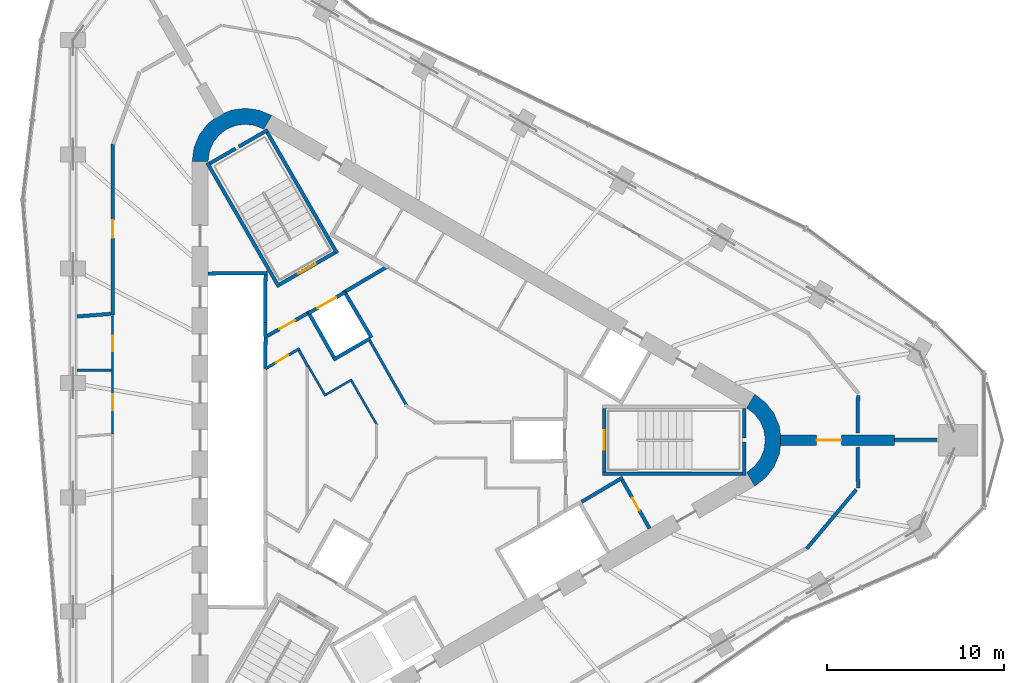
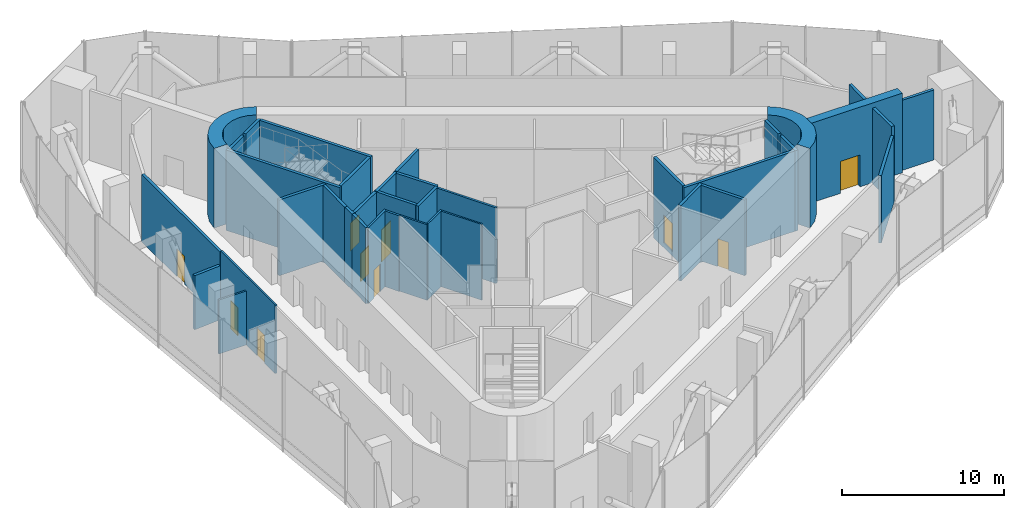
# One storey, part 9 of 15: 38 walls, 10 doors, 10 openings.
"""IFC4 building model written with IfcOpenShell, lengths in metres."""

from ifc_helpers import new_model, si_unit, direction, frame, frame_2d, origin, place, context, subcontext, project, spatial, polyline, rectangle, outline, extrude, material, layer, layer_set, type_object, element, fill, save


model = new_model("IFC4")

# Units and contexts
model_context = context("Model", 3, precision=1e-05, world=origin(), true_north=direction((0.0, 1.0)))
body_context = subcontext(model_context, "Body", "Model", "MODEL_VIEW")
ifc_project = project(units=[si_unit("LENGTHUNIT", "METRE"), si_unit("AREAUNIT", "SQUARE_METRE"), si_unit("VOLUMEUNIT", "CUBIC_METRE"), si_unit("PLANEANGLEUNIT", "RADIAN"), si_unit("MASSUNIT", "GRAM", prefix="KILO")], contexts=[model_context])

# Site, building, storey
site_placement = place(None, origin())
site = spatial("IfcSite", under=ifc_project, at=site_placement, CompositionType="ELEMENT")
building_placement = place(site_placement, origin())
building = spatial("IfcBuilding", under=site, at=building_placement, Name="Tanit Gate Tower", CompositionType="ELEMENT")
storey_placement = place(building_placement, frame((0.0, 0.0, 392.300048828125)))
storey = spatial("IfcBuildingStorey", under=building, at=storey_placement, Name="L90", CompositionType="ELEMENT", Elevation=392.300048828125)

# Wall, opening, door
ifc_material_1 = material(Name="Concrete C40/50", Category="concrete")
ifc_layer_1 = layer(ifc_material_1, 0.60009765625)
ifc_layer_set_1 = layer_set([ifc_layer_1], Name="BUTTRESS FIN 600 C40/50")
wall_type_1 = type_object("IfcWallType", Name="BUTTRESS FIN 600 C40/50", PredefinedType="SHEAR", material=ifc_layer_set_1)
wall_1_placement = place(storey_placement, frame((21.14990234375, 0.0, 0.0), z_axis=(0.0, 0.0, 1.0), x_axis=(1.0, 0.0, 0.0)))
wall_1 = element("IfcWall", 1, at=wall_1_placement, inside=storey, type_object=wall_type_1, Name="BUTTRESS FIN", PredefinedType="SHEAR", context=body_context, shape_type="SweptSolid", body=[
    extrude(rectangle(XDim=6.455078125, YDim=0.60009765625, at=frame_2d((3.2275390625, 0.0))), origin(), (0.0, 0.0, 1.0), 6.0),
])
opening_1_placement = place(wall_1_placement, frame((2.050048828125, 0.0, 0.0)))
opening_1 = element("IfcOpeningElement", 2, at=opening_1_placement, cuts=wall_1, Name="Opening P14-90-F-E-1", PredefinedType="OPENING", context=body_context, shape_type="SweptSolid", body=[
    extrude(rectangle(XDim=1.39990234375, YDim=2.39990234375, at=frame_2d((0.699951171875, 1.199951171875))), frame((0.0, 0.31005859375, 0.0), z_axis=(0.0, -1.0, 0.0), x_axis=(1.0, 0.0, 0.0)), (0.0, 0.0, 1.0), 0.6201171875),
])
ifc_material_2 = material(Name="Timber door leaf", Category="wood")
door_type_1 = type_object("IfcDoorType", Name="INT-DOOR-FIN-PAIR-1400", OperationType="NOTDEFINED", PredefinedType="NOTDEFINED", material=ifc_material_2)
door_1_placement = place(opening_1_placement, origin())
door_1 = element("IfcDoor", 3, at=door_1_placement, inside=storey, type_object=door_type_1, Name="Door P14-90-F-E-1", OperationType="DOUBLE_DOOR_SINGLE_SWING", OverallHeight=2.39990234375, OverallWidth=1.39990234375, PredefinedType="NOTDEFINED", context=body_context, shape_type="SweptSolid", body=[
    extrude(rectangle(XDim=1.39990234375, YDim=2.39990234375, at=frame_2d((0.699951171875, 1.199951171875))), frame((0.0, 0.02490234375, 0.0), z_axis=(0.0, -1.0, 0.0), x_axis=(1.0, 0.0, 0.0)), (0.0, 0.0, 1.0), 0.050048828125),
])
fill(opening_1, door_1)

# Walls
ifc_material_3 = material(Name="Concrete C40/50", Category="concrete")
ifc_layer_2 = layer(ifc_material_3, 0.89990234375)
ifc_layer_set_2 = layer_set([ifc_layer_2], Name="CORE WALL 900 C40/50")
wall_type_2 = type_object("IfcWallType", Name="CORE WALL 900 C40/50", PredefinedType="SHEAR", material=ifc_layer_set_2)
wall_2_placement = place(storey_placement, origin())
element("IfcWall", 4, at=wall_2_placement, inside=storey, type_object=wall_type_2, Name="CORE WALL CORNER", PredefinedType="SHEAR", context=body_context, shape_type="SweptSolid", body=[
    extrude(outline(polyline([(-7.60009765625, 18.359619140625), (-8.323486328125, 18.659423828125), (-9.10009765625, 18.76171875), (-9.87646484375, 18.659423828125), (-10.60009765625, 18.359619140625), (-11.22119140625, 17.883056640625), (-11.697998046875, 17.26171875), (-11.997802734375, 16.5380859375), (-12.10009765625, 15.76171875), (-11.199951171875, 15.76171875), (-11.12841796875, 16.30517578125), (-10.918701171875, 16.811767578125), (-10.5849609375, 17.24658203125), (-10.14990234375, 17.580322265625), (-9.6435546875, 17.7900390625), (-9.10009765625, 17.86181640625), (-8.556396484375, 17.7900390625), (-8.050048828125, 17.580322265625), (-7.60009765625, 18.359619140625)])), origin(), (0.0, 0.0, 1.0), 6.0),
])
wall_3_placement = place(storey_placement, origin())
element("IfcWall", 5, at=wall_3_placement, inside=storey, type_object=wall_type_2, Name="CORE WALL CORNER", PredefinedType="SHEAR", context=body_context, shape_type="SweptSolid", body=[
    extrude(outline(polyline([(19.699951171875, -2.59814453125), (20.3212890625, -2.121337890625), (20.798095703125, -1.5), (21.097900390625, -0.776611328125), (21.199951171875, 0.0), (21.097900390625, 0.776611328125), (20.798095703125, 1.5), (20.3212890625, 2.121337890625), (19.699951171875, 2.59814453125), (19.25, 1.818603515625), (19.684814453125, 1.48486328125), (20.018798828125, 1.050048828125), (20.228515625, 0.54345703125), (20.300048828125, 0.0), (20.228515625, -0.54345703125), (20.018798828125, -1.050048828125), (19.684814453125, -1.48486328125), (19.25, -1.818603515625), (19.699951171875, -2.59814453125)])), origin(), (0.0, 0.0, 1.0), 6.0),
])
ifc_material_4 = material(Name="Fire-rated gypsum board partition")
ifc_layer_3 = layer(ifc_material_4, 0.199951171875)
ifc_layer_set_3 = layer_set([ifc_layer_3], Name="INT-WALL-COMPARTMENT")
wall_type_3 = type_object("IfcWallType", Name="INT-WALL-COMPARTMENT", PredefinedType="PARTITIONING", material=ifc_layer_set_3)
wall_4_placement = place(storey_placement, frame((12.244873046875, -2.10888671875, 0.0), z_axis=(0.0, 0.0, 1.0), x_axis=(-0.860414880418, -0.509594185166, 0.0)))
element("IfcWall", 6, at=wall_4_placement, inside=storey, type_object=wall_type_3, Name="Wall Compartment W062", PredefinedType="PARTITIONING", context=body_context, shape_type="SweptSolid", body=[
    extrude(rectangle(XDim=2.7001953125, YDim=0.199951171875, at=frame_2d((1.35009765625, 0.0))), origin(), (0.0, 0.0, 1.0), 5.699951171875),
])

# Wall, opening, door
wall_5_placement = place(storey_placement, frame((13.758056640625, -4.989501953125, 0.0), z_axis=(0.0, 0.0, 1.0), x_axis=(-0.491993409184, 0.87059892334, 0.0)))
wall_5 = element("IfcWall", 7, at=wall_5_placement, inside=storey, type_object=wall_type_3, Name="Wall Compartment W063", PredefinedType="PARTITIONING", context=body_context, shape_type="SweptSolid", body=[
    extrude(rectangle(XDim=3.150146484375, YDim=0.199951171875, at=frame_2d((1.5751953125, 0.0))), origin(), (0.0, 0.0, 1.0), 5.699951171875),
])
opening_2_placement = place(wall_5_placement, frame((1.175048828125, 0.0, 0.0)))
opening_2 = element("IfcOpeningElement", 8, at=opening_2_placement, cuts=wall_5, Name="Opening R08-90-17", PredefinedType="OPENING", context=body_context, shape_type="SweptSolid", body=[
    extrude(rectangle(XDim=0.800048828125, YDim=2.10009765625, at=frame_2d((0.39990234375, 1.050048828125))), frame((0.0, 0.10986328125, 0.0), z_axis=(0.0, -1.0, 0.0), x_axis=(1.0, 0.0, 0.0)), (0.0, 0.0, 1.0), 0.219970703125),
])
ifc_material_5 = material(Name="Timber door leaf", Category="wood")
door_type_2 = type_object("IfcDoorType", Name="INT-DOOR-RISER-800", OperationType="NOTDEFINED", PredefinedType="USERDEFINED", material=ifc_material_5)
door_2_placement = place(opening_2_placement, origin())
door_2 = element("IfcDoor", 9, at=door_2_placement, inside=storey, type_object=door_type_2, Name="Door R08-90-17", ObjectType="FIRE DOOR", OperationType="SINGLE_SWING_RIGHT", OverallHeight=2.10009765625, OverallWidth=0.800048828125, PredefinedType="USERDEFINED", context=body_context, shape_type="SweptSolid", body=[
    extrude(rectangle(XDim=0.800048828125, YDim=2.10009765625, at=frame_2d((0.39990234375, 1.050048828125))), frame((0.0, 0.02490234375, 0.0), z_axis=(0.0, -1.0, 0.0), x_axis=(1.0, 0.0, 0.0)), (0.0, 0.0, 1.0), 0.050048828125),
])
fill(opening_2, door_2)

# Wall
wall_6_placement = place(storey_placement, frame((-1.0556640625, 9.81787109375, 0.0), z_axis=(0.0, 0.0, 1.0), x_axis=(-0.860599924646, -0.509281621207, 0.0)))
element("IfcWall", 10, at=wall_6_placement, inside=storey, type_object=wall_type_3, Name="Wall Compartment W066", PredefinedType="PARTITIONING", context=body_context, shape_type="SweptSolid", body=[
    extrude(rectangle(XDim=2.724853515625, YDim=0.199951171875, at=frame_2d((1.3623046875, 0.0))), origin(), (0.0, 0.0, 1.0), 5.699951171875),
])

# Wall, opening, door
wall_7_placement = place(storey_placement, frame((-5.600341796875, 7.16015625, 0.0), z_axis=(0.0, 0.0, 1.0), x_axis=(-0.871363259478, -0.490638431059, 0.0)))
wall_7 = element("IfcWall", 11, at=wall_7_placement, inside=storey, type_object=wall_type_3, Name="Wall Compartment W067", PredefinedType="PARTITIONING", context=body_context, shape_type="SweptSolid", body=[
    extrude(rectangle(XDim=2.5810546875, YDim=0.199951171875, at=frame_2d((1.29052734375, 0.0))), origin(), (0.0, 0.0, 1.0), 5.699951171875),
])
opening_3_placement = place(wall_7_placement, frame((0.79052734375, 0.0, 0.0)))
opening_3 = element("IfcOpeningElement", 12, at=opening_3_placement, cuts=wall_7, Name="Opening F10-90-05", PredefinedType="OPENING", context=body_context, shape_type="SweptSolid", body=[
    extrude(rectangle(XDim=1.0, YDim=2.10009765625, at=frame_2d((0.5, 1.050048828125))), frame((0.0, 0.10986328125, 0.0), z_axis=(0.0, -1.0, 0.0), x_axis=(1.0, 0.0, 0.0)), (0.0, 0.0, 1.0), 0.219970703125),
])
ifc_material_6 = material(Name="Fire-rated steel door leaf", Category="steel")
door_type_3 = type_object("IfcDoorType", Name="INT-DOOR-FIRE-1000", OperationType="NOTDEFINED", PredefinedType="USERDEFINED", material=ifc_material_6)
door_3_placement = place(opening_3_placement, origin())
door_3 = element("IfcDoor", 13, at=door_3_placement, inside=storey, type_object=door_type_3, Name="Door F10-90-05", ObjectType="FIRE DOOR", OperationType="SINGLE_SWING_LEFT", OverallHeight=2.10009765625, OverallWidth=1.0, PredefinedType="USERDEFINED", context=body_context, shape_type="SweptSolid", body=[
    extrude(rectangle(XDim=1.0, YDim=2.10009765625, at=frame_2d((0.5, 1.050048828125))), frame((0.0, 0.02490234375, 0.0), z_axis=(0.0, -1.0, 0.0), x_axis=(1.0, 0.0, 0.0)), (0.0, 0.0, 1.0), 0.050048828125),
])
fill(opening_3, door_3)

wall_8_placement = place(storey_placement, frame((-16.60009765625, 16.734375, 0.0), z_axis=(0.0, 0.0, 1.0), x_axis=(0.0, -1.0, 0.0)))
wall_8 = element("IfcWall", 14, at=wall_8_placement, inside=storey, type_object=wall_type_3, Name="Wall Compartment W091", PredefinedType="PARTITIONING", context=body_context, shape_type="SweptSolid", body=[
    extrude(rectangle(XDim=9.64501953125, YDim=0.199951171875, at=frame_2d((4.822509765625, 0.0))), origin(), (0.0, 0.0, 1.0), 5.070068359375),
])
opening_4_placement = place(wall_8_placement, frame((4.300048828125, 0.0, 0.0)))
opening_4 = element("IfcOpeningElement", 15, at=opening_4_placement, cuts=wall_8, Name="Opening F10-90-19", PredefinedType="OPENING", context=body_context, shape_type="SweptSolid", body=[
    extrude(rectangle(XDim=1.0, YDim=2.10009765625, at=frame_2d((0.5, 1.050048828125))), frame((0.0, 0.10986328125, 0.0), z_axis=(0.0, -1.0, 0.0), x_axis=(1.0, 0.0, 0.0)), (0.0, 0.0, 1.0), 0.219970703125),
])
door_4_placement = place(opening_4_placement, origin())
door_4 = element("IfcDoor", 16, at=door_4_placement, inside=storey, type_object=door_type_3, Name="Door F10-90-19", ObjectType="FIRE DOOR", OperationType="SINGLE_SWING_RIGHT", OverallHeight=2.10009765625, OverallWidth=1.0, PredefinedType="USERDEFINED", context=body_context, shape_type="SweptSolid", body=[
    extrude(rectangle(XDim=1.0, YDim=2.10009765625, at=frame_2d((0.5, 1.050048828125))), frame((0.0, 0.02490234375, 0.0), z_axis=(0.0, -1.0, 0.0), x_axis=(1.0, 0.0, 0.0)), (0.0, 0.0, 1.0), 0.050048828125),
])
fill(opening_4, door_4)

# Walls
wall_9_placement = place(storey_placement, frame((-18.60400390625, 6.9931640625, 0.0), z_axis=(0.0, 0.0, 1.0), x_axis=(0.99697500106, 0.077722887632, 0.0)))
element("IfcWall", 17, at=wall_9_placement, inside=storey, type_object=wall_type_3, Name="Wall Compartment W099", PredefinedType="PARTITIONING", context=body_context, shape_type="SweptSolid", body=[
    extrude(rectangle(XDim=1.909912109375, YDim=0.199951171875, at=frame_2d((0.955078125, 0.0))), origin(), (0.0, 0.0, 1.0), 4.070068359375),
])
wall_10_placement = place(storey_placement, frame((25.520751953125, 0.39990234375, 0.0), z_axis=(0.0, 0.0, 1.0), x_axis=(0.011167985113, 0.99993763611, 0.0)))
element("IfcWall", 18, at=wall_10_placement, inside=storey, type_object=wall_type_3, Name="Wall Compartment W106", PredefinedType="PARTITIONING", context=body_context, shape_type="SweptSolid", body=[
    extrude(rectangle(XDim=2.12060546875, YDim=0.199951171875, at=frame_2d((1.060302734375, 0.0))), origin(), (0.0, 0.0, 1.0), 5.699951171875),
])
wall_11_placement = place(storey_placement, frame((27.60498046875, 0.030029296875, 0.0), z_axis=(0.0, 0.0, 1.0), x_axis=(1.0, 0.0, 0.0)))
element("IfcWall", 19, at=wall_11_placement, inside=storey, type_object=wall_type_3, Name="Wall Compartment W111", PredefinedType="PARTITIONING", context=body_context, shape_type="SweptSolid", body=[
    extrude(rectangle(XDim=2.390625, YDim=0.199951171875, at=frame_2d((1.1953125, 0.0))), origin(), (0.0, 0.0, 1.0), 5.27001953125),
])
wall_12_placement = place(storey_placement, frame((25.546630859375, -2.7109375, 0.0), z_axis=(0.0, 0.0, 1.0), x_axis=(-0.011197269672, 0.999937308611, 0.0)))
element("IfcWall", 20, at=wall_12_placement, inside=storey, type_object=wall_type_3, Name="Wall Compartment W116", PredefinedType="PARTITIONING", context=body_context, shape_type="SweptSolid", body=[
    extrude(rectangle(XDim=2.311279296875, YDim=0.199951171875, at=frame_2d((1.15576171875, 0.0))), origin(), (0.0, 0.0, 1.0), 5.699951171875),
])
wall_13_placement = place(storey_placement, frame((22.6416015625, -6.135498046875, 0.0), z_axis=(0.0, 0.0, 1.0), x_axis=(0.642782763857, 0.766048509227, 0.0)))
element("IfcWall", 21, at=wall_13_placement, inside=storey, type_object=wall_type_3, Name="Wall Compartment W117", PredefinedType="PARTITIONING", context=body_context, shape_type="SweptSolid", body=[
    extrude(rectangle(XDim=4.365234375, YDim=0.199951171875, at=frame_2d((2.1826171875, 0.0))), origin(), (0.0, 0.0, 1.0), 5.070068359375),
])
ifc_material_7 = material(Name="Gypsum board partition")
ifc_layer_4 = layer(ifc_material_7, 0.1201171875)
ifc_layer_set_4 = layer_set([ifc_layer_4], Name="INT-WALL-PARTITION")
wall_type_4 = type_object("IfcWallType", Name="INT-WALL-PARTITION", PredefinedType="PARTITIONING", material=ifc_layer_set_4)
wall_14_placement = place(storey_placement, frame((-4.558349609375, 2.4951171875, 0.0), z_axis=(0.0, 0.0, 1.0), x_axis=(-0.499990325971, 0.866030989016, 0.0)))
element("IfcWall", 22, at=wall_14_placement, inside=storey, type_object=wall_type_4, Name="Wall Partition W084", PredefinedType="PARTITIONING", context=body_context, shape_type="SweptSolid", body=[
    extrude(rectangle(XDim=2.02490234375, YDim=0.1201171875, at=frame_2d((1.012451171875, 0.0))), origin(), (0.0, 0.0, 1.0), 5.699951171875),
])
wall_15_placement = place(storey_placement, frame((-3.06396484375, 3.427001953125, 0.0), z_axis=(0.0, 0.0, 1.0), x_axis=(-0.866087547558, -0.499892348375, 0.0)))
element("IfcWall", 23, at=wall_15_placement, inside=storey, type_object=wall_type_4, Name="Wall Partition W085", PredefinedType="PARTITIONING", context=body_context, shape_type="SweptSolid", body=[
    extrude(rectangle(XDim=1.699951171875, YDim=0.1201171875, at=frame_2d((0.85009765625, 0.0))), origin(), (0.0, 0.0, 1.0), 5.699951171875),
])
wall_16_placement = place(storey_placement, frame((-1.63671875, 0.8349609375, 0.0), z_axis=(0.0, 0.0, 1.0), x_axis=(-0.499980071345, 0.866036909293, 0.0)))
element("IfcWall", 24, at=wall_16_placement, inside=storey, type_object=wall_type_4, Name="Wall Partition W086", PredefinedType="PARTITIONING", context=body_context, shape_type="SweptSolid", body=[
    extrude(rectangle(XDim=2.8984375, YDim=0.1201171875, at=frame_2d((1.44921875, 0.0))), origin(), (0.0, 0.0, 1.0), 5.699951171875),
])

# Wall, openings, doors
wall_17_placement = place(storey_placement, frame((-16.60009765625, 7.049072265625, 0.0), z_axis=(0.0, 0.0, 1.0), x_axis=(0.0, -1.0, 0.0)))
wall_17 = element("IfcWall", 25, at=wall_17_placement, inside=storey, type_object=wall_type_4, Name="Wall Partition W095", PredefinedType="PARTITIONING", context=body_context, shape_type="SweptSolid", body=[
    extrude(rectangle(XDim=6.70556640625, YDim=0.1201171875, at=frame_2d((3.352783203125, 0.0))), origin(), (0.0, 0.0, 1.0), 5.169921875),
])
opening_5_placement = place(wall_17_placement, frame((4.4638671875, 0.0, 0.0)))
opening_5 = element("IfcOpeningElement", 26, at=opening_5_placement, cuts=wall_17, Name="Opening D09-90-20", PredefinedType="OPENING", context=body_context, shape_type="SweptSolid", body=[
    extrude(rectangle(XDim=0.89990234375, YDim=2.10009765625, at=frame_2d((0.449951171875, 1.050048828125))), frame((0.0, 0.070068359375, 0.0), z_axis=(0.0, -1.0, 0.0), x_axis=(1.0, 0.0, 0.0)), (0.0, 0.0, 1.0), 0.14013671875),
])
opening_6_placement = place(wall_17_placement, frame((1.132080078125, 0.0, 0.0)))
opening_6 = element("IfcOpeningElement", 27, at=opening_6_placement, cuts=wall_17, Name="Opening D09-90-21", PredefinedType="OPENING", context=body_context, shape_type="SweptSolid", body=[
    extrude(rectangle(XDim=0.89990234375, YDim=2.10009765625, at=frame_2d((0.449951171875, 1.050048828125))), frame((0.0, 0.070068359375, 0.0), z_axis=(0.0, -1.0, 0.0), x_axis=(1.0, 0.0, 0.0)), (0.0, 0.0, 1.0), 0.14013671875),
])
ifc_material_8 = material(Name="Timber door leaf", Category="wood")
door_type_4 = type_object("IfcDoorType", Name="INT-DOOR-SINGLE-900", OperationType="NOTDEFINED", PredefinedType="NOTDEFINED", material=ifc_material_8)
door_5_placement = place(opening_5_placement, origin())
door_5 = element("IfcDoor", 28, at=door_5_placement, inside=storey, type_object=door_type_4, Name="Door D09-90-20", OperationType="SINGLE_SWING_LEFT", OverallHeight=2.10009765625, OverallWidth=0.89990234375, PredefinedType="NOTDEFINED", context=body_context, shape_type="SweptSolid", body=[
    extrude(rectangle(XDim=0.89990234375, YDim=2.10009765625, at=frame_2d((0.449951171875, 1.050048828125))), frame((0.0, 0.02490234375, 0.0), z_axis=(0.0, -1.0, 0.0), x_axis=(1.0, 0.0, 0.0)), (0.0, 0.0, 1.0), 0.050048828125),
])
fill(opening_5, door_5)
door_6_placement = place(opening_6_placement, origin())
door_6 = element("IfcDoor", 29, at=door_6_placement, inside=storey, type_object=door_type_4, Name="Door D09-90-21", OperationType="SINGLE_SWING_RIGHT", OverallHeight=2.10009765625, OverallWidth=0.89990234375, PredefinedType="NOTDEFINED", context=body_context, shape_type="SweptSolid", body=[
    extrude(rectangle(XDim=0.89990234375, YDim=2.10009765625, at=frame_2d((0.449951171875, 1.050048828125))), frame((0.0, 0.02490234375, 0.0), z_axis=(0.0, -1.0, 0.0), x_axis=(1.0, 0.0, 0.0)), (0.0, 0.0, 1.0), 0.050048828125),
])
fill(opening_6, door_6)

# Walls
wall_18_placement = place(storey_placement, frame((-16.659912109375, 3.955322265625, 0.0), z_axis=(0.0, 0.0, 1.0), x_axis=(-1.0, 0.0, 0.0)))
element("IfcWall", 30, at=wall_18_placement, inside=storey, type_object=wall_type_4, Name="Wall Partition W101", PredefinedType="PARTITIONING", context=body_context, shape_type="SweptSolid", body=[
    extrude(rectangle(XDim=1.944091796875, YDim=0.1201171875, at=frame_2d((0.97216796875, 0.0))), origin(), (0.0, 0.0, 1.0), 4.070068359375),
])
ifc_material_9 = material(Name="Fire-rated gypsum board partition")
ifc_layer_5 = layer(ifc_material_9, 0.14990234375)
ifc_layer_set_5 = layer_set([ifc_layer_5], Name="INT-WALL-RISER")
wall_type_5 = type_object("IfcWallType", Name="INT-WALL-RISER", PredefinedType="PLUMBINGWALL", material=ifc_layer_set_5)
wall_19_placement = place(storey_placement, frame((-2.05908203125, 5.6240234375, 0.0), z_axis=(0.0, 0.0, 1.0), x_axis=(0.494149180773, -0.869377125959, 0.0)))
element("IfcWall", 31, at=wall_19_placement, inside=storey, type_object=wall_type_5, Name="Wall Riser W072", PredefinedType="PLUMBINGWALL", context=body_context, shape_type="SweptSolid", body=[
    extrude(rectangle(XDim=4.231201171875, YDim=0.14990234375, at=frame_2d((2.11572265625, 0.0))), origin(), (0.0, 0.0, 1.0), 5.699951171875),
])

# Wall, opening, door
wall_20_placement = place(storey_placement, frame((-6.023681640625, 5.183349609375, 0.0), z_axis=(0.0, 0.0, 1.0), x_axis=(-0.860126804455, -0.510080268447, 0.0)))
wall_20 = element("IfcWall", 32, at=wall_20_placement, inside=storey, type_object=wall_type_5, Name="Wall Riser W082", PredefinedType="PLUMBINGWALL", context=body_context, shape_type="SweptSolid", body=[
    extrude(rectangle(XDim=2.239501953125, YDim=0.14990234375, at=frame_2d((1.11962890625, 0.0))), origin(), (0.0, 0.0, 1.0), 5.699951171875),
])
opening_7_placement = place(wall_20_placement, frame((0.75732421875, 0.0, 0.0)))
opening_7 = element("IfcOpeningElement", 33, at=opening_7_placement, cuts=wall_20, Name="Opening R08-90-12", PredefinedType="OPENING", context=body_context, shape_type="SweptSolid", body=[
    extrude(rectangle(XDim=0.800048828125, YDim=2.10009765625, at=frame_2d((0.39990234375, 1.050048828125))), frame((0.0, 0.0849609375, 0.0), z_axis=(0.0, -1.0, 0.0), x_axis=(1.0, 0.0, 0.0)), (0.0, 0.0, 1.0), 0.169921875),
])
door_7_placement = place(opening_7_placement, origin())
door_7 = element("IfcDoor", 34, at=door_7_placement, inside=storey, type_object=door_type_2, Name="Door R08-90-12", ObjectType="FIRE DOOR", OperationType="SINGLE_SWING_RIGHT", OverallHeight=2.10009765625, OverallWidth=0.800048828125, PredefinedType="USERDEFINED", context=body_context, shape_type="SweptSolid", body=[
    extrude(rectangle(XDim=0.800048828125, YDim=2.10009765625, at=frame_2d((0.39990234375, 1.050048828125))), frame((0.0, 0.02490234375, 0.0), z_axis=(0.0, -1.0, 0.0), x_axis=(1.0, 0.0, 0.0)), (0.0, 0.0, 1.0), 0.050048828125),
])
fill(opening_7, door_7)

# Walls
wall_21_placement = place(storey_placement, frame((-5.57080078125, 4.189697265625, 0.0), z_axis=(0.0, 0.0, 1.0), x_axis=(-0.476127658675, 0.879376172434, 0.0)))
element("IfcWall", 35, at=wall_21_placement, inside=storey, type_object=wall_type_5, Name="Wall Riser W083", PredefinedType="PLUMBINGWALL", context=body_context, shape_type="SweptSolid", body=[
    extrude(rectangle(XDim=1.01171875, YDim=0.14990234375, at=frame_2d((0.505859375, 0.0))), origin(), (0.0, 0.0, 1.0), 5.699951171875),
])
ifc_material_10 = material(Name="Gypsum shaft wall system")
ifc_layer_6 = layer(ifc_material_10, 0.199951171875)
ifc_layer_set_6 = layer_set([ifc_layer_6], Name="INT-WALL-SHAFT")
wall_type_6 = type_object("IfcWallType", Name="INT-WALL-SHAFT", PredefinedType="PLUMBINGWALL", material=ifc_layer_set_6)
wall_22_placement = place(storey_placement, frame((-11.199951171875, 9.419921875, 0.0), z_axis=(0.0, 0.0, 1.0), x_axis=(0.999957167047, 0.009255488683, 0.0)))
element("IfcWall", 36, at=wall_22_placement, inside=storey, type_object=wall_type_6, Name="Wall Shaft W001", PredefinedType="PLUMBINGWALL", context=body_context, shape_type="SweptSolid", body=[
    extrude(rectangle(XDim=3.35009765625, YDim=0.199951171875, at=frame_2d((1.675048828125, 0.0))), origin(), (0.0, 0.0, 1.0), 5.699951171875),
])
wall_23_placement = place(storey_placement, frame((-7.951171875, 9.35009765625, 0.0), z_axis=(0.0, 0.0, 1.0), x_axis=(-0.011120469654, -0.999938165666, 0.0)))
element("IfcWall", 37, at=wall_23_placement, inside=storey, type_object=wall_type_6, Name="Wall Shaft W002", PredefinedType="PLUMBINGWALL", context=body_context, shape_type="SweptSolid", body=[
    extrude(rectangle(XDim=2.700439453125, YDim=0.199951171875, at=frame_2d((1.35009765625, 0.0))), origin(), (0.0, 0.0, 1.0), 5.699951171875),
])
wall_24_placement = place(storey_placement, frame((-7.97705078125, 6.650146484375, 0.0), z_axis=(0.0, 0.0, 1.0), x_axis=(0.030861509705, -0.999523670164, 0.0)))
element("IfcWall", 38, at=wall_24_placement, inside=storey, type_object=wall_type_6, Name="Wall Shaft W003", PredefinedType="PLUMBINGWALL", context=body_context, shape_type="SweptSolid", body=[
    extrude(rectangle(XDim=0.878173828125, YDim=0.199951171875, at=frame_2d((0.43896484375, 0.0))), origin(), (0.0, 0.0, 1.0), 5.699951171875),
])
wall_25_placement = place(storey_placement, frame((-7.94921875, 5.894775390625, 0.0), z_axis=(0.0, 0.0, 1.0), x_axis=(-0.012042535896, -0.999927486035, 0.0)))
element("IfcWall", 39, at=wall_25_placement, inside=storey, type_object=wall_type_6, Name="Wall Shaft W004", PredefinedType="PLUMBINGWALL", context=body_context, shape_type="SweptSolid", body=[
    extrude(rectangle(XDim=1.844970703125, YDim=0.199951171875, at=frame_2d((0.92236328125, 0.0))), origin(), (0.0, 0.0, 1.0), 5.699951171875),
])

# Wall, opening, door
wall_26_placement = place(storey_placement, frame((-5.524169921875, 7.168212890625, 0.0), z_axis=(0.0, 0.0, 1.0), x_axis=(0.866024647952, 0.500001309137, 0.0)))
wall_26 = element("IfcWall", 40, at=wall_26_placement, inside=storey, type_object=wall_type_6, Name="Wall Shaft W039", PredefinedType="PLUMBINGWALL", context=body_context, shape_type="SweptSolid", body=[
    extrude(rectangle(XDim=2.39990234375, YDim=0.199951171875, at=frame_2d((1.199951171875, 0.0))), origin(), (0.0, 0.0, 1.0), 5.699951171875),
])
opening_8_placement = place(wall_26_placement, frame((0.60009765625, 0.0, 0.0)))
opening_8 = element("IfcOpeningElement", 41, at=opening_8_placement, cuts=wall_26, Name="Opening LDFL2-L90", PredefinedType="OPENING", context=body_context, shape_type="SweptSolid", body=[
    extrude(rectangle(XDim=1.199951171875, YDim=2.39990234375, at=frame_2d((0.60009765625, 1.199951171875))), frame((0.0, 0.10986328125, 0.0), z_axis=(0.0, -1.0, 0.0), x_axis=(1.0, 0.0, 0.0)), (0.0, 0.0, 1.0), 0.219970703125),
])
ifc_material_11 = material(Name="Stainless steel sliding door leaf", Category="steel")
door_type_5 = type_object("IfcDoorType", Name="INT-DOOR-LANDING-1200", OperationType="NOTDEFINED", PredefinedType="USERDEFINED", material=ifc_material_11)
door_8_placement = place(opening_8_placement, origin())
door_8 = element("IfcDoor", 42, at=door_8_placement, inside=storey, type_object=door_type_5, Name="Door LDFL2-L90", ObjectType="LANDING DOOR", OperationType="SLIDING_TO_LEFT", OverallHeight=2.39990234375, OverallWidth=1.199951171875, PredefinedType="USERDEFINED", context=body_context, shape_type="SweptSolid", body=[
    extrude(rectangle(XDim=1.199951171875, YDim=2.39990234375, at=frame_2d((0.60009765625, 1.199951171875))), frame((0.0, 0.02490234375, 0.0), z_axis=(0.0, -1.0, 0.0), x_axis=(1.0, 0.0, 0.0)), (0.0, 0.0, 1.0), 0.050048828125),
])
fill(opening_8, door_8)

# Walls
wall_27_placement = place(storey_placement, frame((-3.53759765625, 8.46533203125, 0.0), z_axis=(0.0, 0.0, 1.0), x_axis=(0.508647062354, -0.860975125052, 0.0)))
element("IfcWall", 43, at=wall_27_placement, inside=storey, type_object=wall_type_6, Name="Wall Shaft W040", PredefinedType="PLUMBINGWALL", context=body_context, shape_type="SweptSolid", body=[
    extrude(rectangle(XDim=3.10009765625, YDim=0.199951171875, at=frame_2d((1.550048828125, 0.0))), origin(), (0.0, 0.0, 1.0), 5.699951171875),
])
wall_28_placement = place(storey_placement, frame((-2.04345703125, 5.748291015625, 0.0), z_axis=(0.0, 0.0, 1.0), x_axis=(-0.866035096217, -0.499983211839, 0.0)))
element("IfcWall", 44, at=wall_28_placement, inside=storey, type_object=wall_type_6, Name="Wall Shaft W041", PredefinedType="PLUMBINGWALL", context=body_context, shape_type="SweptSolid", body=[
    extrude(rectangle(XDim=2.404296875, YDim=0.199951171875, at=frame_2d((1.2021484375, 0.0))), origin(), (0.0, 0.0, 1.0), 5.699951171875),
])
wall_29_placement = place(storey_placement, frame((-5.5625, 7.29638671875, 0.0), z_axis=(0.0, 0.0, 1.0), x_axis=(0.49134651263, -0.870964180966, 0.0)))
element("IfcWall", 45, at=wall_29_placement, inside=storey, type_object=wall_type_6, Name="Wall Shaft W042", PredefinedType="PLUMBINGWALL", context=body_context, shape_type="SweptSolid", body=[
    extrude(rectangle(XDim=3.000244140625, YDim=0.199951171875, at=frame_2d((1.5, 0.0))), origin(), (0.0, 0.0, 1.0), 5.699951171875),
])
ifc_material_12 = material(Name="Concrete C40/50", Category="concrete")
ifc_layer_7 = layer(ifc_material_12, 0.199951171875)
ifc_layer_set_7 = layer_set([ifc_layer_7], Name="INT-WALL-STAIR")
wall_type_7 = type_object("IfcWallType", Name="INT-WALL-STAIR", PredefinedType="SHEAR", material=ifc_layer_set_7)
wall_30_placement = place(storey_placement, frame((19.10009765625, -2.0, -0.35009765625), z_axis=(0.0, 0.0, 1.0), x_axis=(0.0, 1.0, 0.0)))
element("IfcWall", 46, at=wall_30_placement, inside=storey, type_object=wall_type_7, Name="Wall Stair W027", PredefinedType="SHEAR", context=body_context, shape_type="SweptSolid", body=[
    extrude(rectangle(XDim=1.889892578125, YDim=0.199951171875, at=frame_2d((0.94482421875, 0.0))), origin(), (0.0, 0.0, 1.0), 6.050048828125),
])
wall_31_placement = place(storey_placement, frame((19.10009765625, 0.110107421875, -0.35009765625), z_axis=(0.0, 0.0, 1.0), x_axis=(0.0, 1.0, 0.0)))
element("IfcWall", 47, at=wall_31_placement, inside=storey, type_object=wall_type_7, Name="Wall Stair W026", PredefinedType="SHEAR", context=body_context, shape_type="SweptSolid", body=[
    extrude(rectangle(XDim=1.68994140625, YDim=0.199951171875, at=frame_2d((0.844970703125, 0.0))), origin(), (0.0, 0.0, 1.0), 6.050048828125),
])
wall_32_placement = place(storey_placement, frame((11.10009765625, -1.89990234375, -0.35009765625), z_axis=(0.0, 0.0, 1.0), x_axis=(1.0, 0.0, 0.0)))
element("IfcWall", 48, at=wall_32_placement, inside=storey, type_object=wall_type_7, Name="Wall Stair W028", PredefinedType="SHEAR", context=body_context, shape_type="SweptSolid", body=[
    extrude(rectangle(XDim=7.89990234375, YDim=0.199951171875, at=frame_2d((3.949951171875, 0.0))), origin(), (0.0, 0.0, 1.0), 6.050048828125),
])

# Wall, opening, door
wall_33_placement = place(storey_placement, frame((11.199951171875, -1.800048828125, -0.35009765625), z_axis=(0.0, 0.0, 1.0), x_axis=(0.0, 1.0, 0.0)))
wall_33 = element("IfcWall", 49, at=wall_33_placement, inside=storey, type_object=wall_type_7, Name="Wall Stair W029", PredefinedType="SHEAR", context=body_context, shape_type="SweptSolid", body=[
    extrude(rectangle(XDim=3.60009765625, YDim=0.199951171875, at=frame_2d((1.800048828125, 0.0))), origin(), (0.0, 0.0, 1.0), 6.050048828125),
])
opening_9_placement = place(wall_33_placement, frame((1.25, 0.0, 0.35009765625)))
opening_9 = element("IfcOpeningElement", 50, at=opening_9_placement, cuts=wall_33, Name="Opening S11-90-01", PredefinedType="OPENING", context=body_context, shape_type="SweptSolid", body=[
    extrude(rectangle(XDim=1.10009765625, YDim=2.10009765625, at=frame_2d((0.550048828125, 1.050048828125))), frame((0.0, 0.10986328125, 0.0), z_axis=(0.0, -1.0, 0.0), x_axis=(1.0, 0.0, 0.0)), (0.0, 0.0, 1.0), 0.219970703125),
])
ifc_material_13 = material(Name="Timber door leaf", Category="wood")
door_type_6 = type_object("IfcDoorType", Name="INT-DOOR-STAIR-1100", OperationType="NOTDEFINED", PredefinedType="USERDEFINED", material=ifc_material_13)
door_9_placement = place(opening_9_placement, origin())
door_9 = element("IfcDoor", 51, at=door_9_placement, inside=storey, type_object=door_type_6, Name="Door S11-90-01", ObjectType="FIRE DOOR", OperationType="SINGLE_SWING_LEFT", OverallHeight=2.10009765625, OverallWidth=1.10009765625, PredefinedType="USERDEFINED", context=body_context, shape_type="SweptSolid", body=[
    extrude(rectangle(XDim=1.10009765625, YDim=2.10009765625, at=frame_2d((0.550048828125, 1.050048828125))), frame((0.0, 0.02490234375, 0.0), z_axis=(0.0, -1.0, 0.0), x_axis=(1.0, 0.0, 0.0)), (0.0, 0.0, 1.0), 0.050048828125),
])
fill(opening_9, door_9)

# Walls
wall_34_placement = place(storey_placement, frame((-11.245361328125, 15.677734375, -0.35009765625), z_axis=(0.0, 0.0, 1.0), x_axis=(0.499977274689, -0.866038523851, 0.0)))
element("IfcWall", 52, at=wall_34_placement, inside=storey, type_object=wall_type_7, Name="Wall Stair W034", PredefinedType="SHEAR", context=body_context, shape_type="SweptSolid", body=[
    extrude(rectangle(XDim=8.10009765625, YDim=0.199951171875, at=frame_2d((4.050048828125, 0.0))), origin(), (0.0, 0.0, 1.0), 6.050048828125),
])
wall_35_placement = place(storey_placement, frame((-7.81787109375, 17.541015625, -0.35009765625), z_axis=(0.0, 0.0, 1.0), x_axis=(-0.866088799389, -0.499890179513, 0.0)))
element("IfcWall", 53, at=wall_35_placement, inside=storey, type_object=wall_type_7, Name="Wall Stair W036", PredefinedType="SHEAR", context=body_context, shape_type="SweptSolid", body=[
    extrude(rectangle(XDim=1.89013671875, YDim=0.199951171875, at=frame_2d((0.945068359375, 0.0))), origin(), (0.0, 0.0, 1.0), 6.050048828125),
])
wall_36_placement = place(storey_placement, frame((-9.645263671875, 16.486083984375, -0.35009765625), z_axis=(0.0, 0.0, 1.0), x_axis=(-0.866038843867, -0.499976720371, 0.0)))
element("IfcWall", 54, at=wall_36_placement, inside=storey, type_object=wall_type_7, Name="Wall Stair W035", PredefinedType="SHEAR", context=body_context, shape_type="SweptSolid", body=[
    extrude(rectangle(XDim=1.68994140625, YDim=0.199951171875, at=frame_2d((0.844970703125, 0.0))), origin(), (0.0, 0.0, 1.0), 6.050048828125),
])
wall_37_placement = place(storey_placement, frame((-7.8544921875, 17.404541015625, -0.35009765625), z_axis=(0.0, 0.0, 1.0), x_axis=(0.499997992926, -0.866026562566, 0.0)))
element("IfcWall", 55, at=wall_37_placement, inside=storey, type_object=wall_type_7, Name="Wall Stair W037", PredefinedType="SHEAR", context=body_context, shape_type="SweptSolid", body=[
    extrude(rectangle(XDim=7.89990234375, YDim=0.199951171875, at=frame_2d((3.949951171875, 0.0))), origin(), (0.0, 0.0, 1.0), 6.050048828125),
])

# Wall, opening, door
wall_38_placement = place(storey_placement, frame((-7.158935546875, 8.799560546875, -0.35009765625), z_axis=(0.0, 0.0, 1.0), x_axis=(0.866047807691, 0.499961193289, 0.0)))
wall_38 = element("IfcWall", 56, at=wall_38_placement, inside=storey, type_object=wall_type_7, Name="Wall Stair W038", PredefinedType="SHEAR", context=body_context, shape_type="SweptSolid", body=[
    extrude(rectangle(XDim=3.599853515625, YDim=0.199951171875, at=frame_2d((1.7998046875, 0.0))), origin(), (0.0, 0.0, 1.0), 6.050048828125),
])
opening_10_placement = place(wall_38_placement, frame((1.25, 0.0, 0.35009765625)))
opening_10 = element("IfcOpeningElement", 57, at=opening_10_placement, cuts=wall_38, Name="Opening S11-90-04", PredefinedType="OPENING", context=body_context, shape_type="SweptSolid", body=[
    extrude(rectangle(XDim=1.10009765625, YDim=2.10009765625, at=frame_2d((0.550048828125, 1.050048828125))), frame((0.0, 0.10986328125, 0.0), z_axis=(0.0, -1.0, 0.0), x_axis=(1.0, 0.0, 0.0)), (0.0, 0.0, 1.0), 0.219970703125),
])
door_10_placement = place(opening_10_placement, origin())
door_10 = element("IfcDoor", 58, at=door_10_placement, inside=storey, type_object=door_type_6, Name="Door S11-90-04", ObjectType="FIRE DOOR", OperationType="SINGLE_SWING_RIGHT", OverallHeight=2.10009765625, OverallWidth=1.10009765625, PredefinedType="USERDEFINED", context=body_context, shape_type="SweptSolid", body=[
    extrude(rectangle(XDim=1.10009765625, YDim=2.10009765625, at=frame_2d((0.550048828125, 1.050048828125))), frame((0.0, 0.02490234375, 0.0), z_axis=(0.0, -1.0, 0.0), x_axis=(1.0, 0.0, 0.0)), (0.0, 0.0, 1.0), 0.050048828125),
])
fill(opening_10, door_10)

save(model, "model.ifc")
